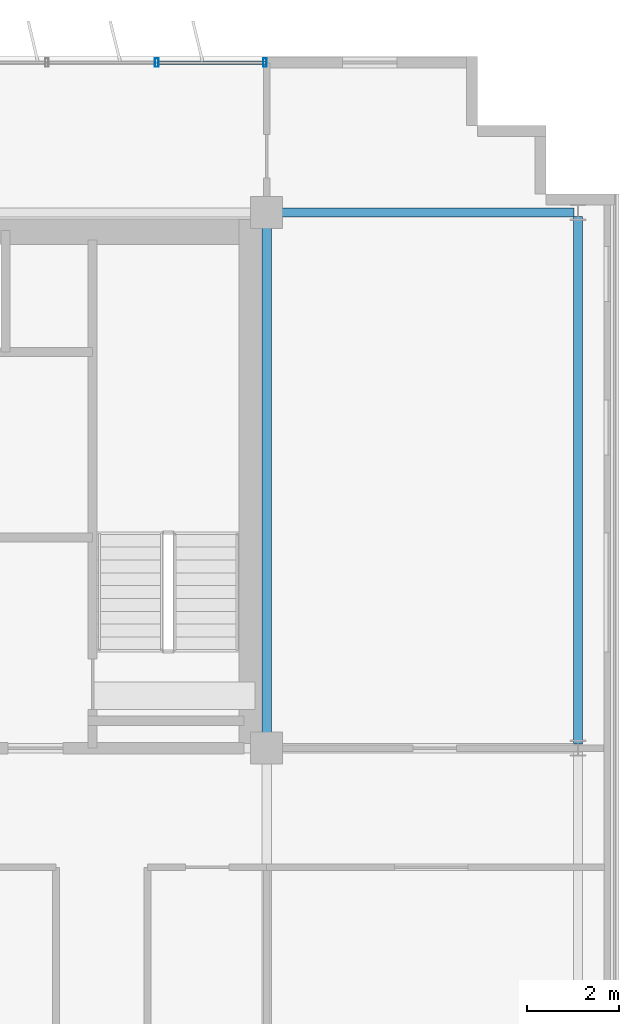
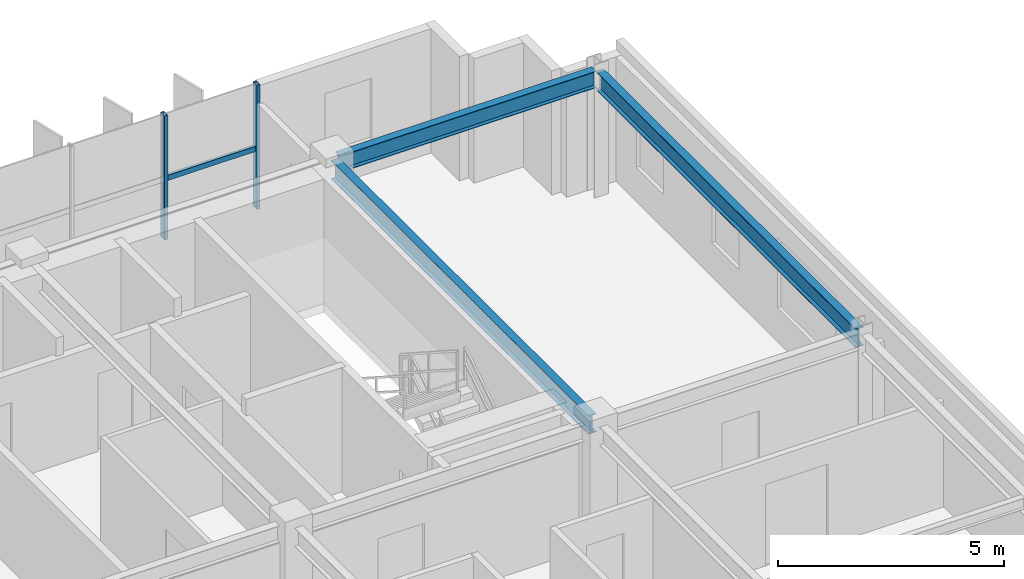
# One storey, part 12 of 19: 3 beams, 3 members, 1 element without a shape of its own.
"""IFC4 building model written with IfcOpenShell, lengths in metres."""

from ifc_helpers import new_model, si_unit, direction, frame, origin, origin_2d, place, context, subcontext, project, spatial, hollow_rectangle, i_section, extrude, source, transform, mapped, material, material_profile, profile_set, type_object, element, aggregate, save


model = new_model("IFC4")

# Units and contexts
model_context = context("Model", 3, precision=1e-05, world=origin(), true_north=direction((0.0, 1.0)))
body_context = subcontext(model_context, "Body", "Model", "MODEL_VIEW")
ifc_project = project(units=[si_unit("LENGTHUNIT", "METRE"), si_unit("AREAUNIT", "SQUARE_METRE"), si_unit("VOLUMEUNIT", "CUBIC_METRE"), si_unit("PLANEANGLEUNIT", "RADIAN"), si_unit("MASSUNIT", "GRAM", prefix="KILO")], contexts=[model_context])

# Site, building, storey
site_placement = place(None, origin())
site = spatial("IfcSite", under=ifc_project, at=site_placement, CompositionType="ELEMENT")
building_placement = place(site_placement, origin())
building = spatial("IfcBuilding", under=site, at=building_placement, Name="Trelvane Seafront Commons", CompositionType="ELEMENT")
storey_placement = place(building_placement, frame((0.0, 0.0, 215.699951171875)))
storey = spatial("IfcBuildingStorey", under=building, at=storey_placement, Name="L56", CompositionType="ELEMENT", Elevation=215.699951171875)

# Beams
ifc_material_1 = material(Name="Steel SM355 (S355)", Category="steel")
ifc_material_profile_1 = material_profile(ifc_material_1, i_section(OverallWidth=0.199951171875, OverallDepth=0.5, WebThickness=0.010009765625, FlangeThickness=0.01611328125, at=origin_2d()), Name="H-500x200x10x16")
ifc_profile_set_1 = profile_set([ifc_material_profile_1], Name="Steel SM355 (S355)")
beam_type_1 = type_object("IfcBeamType", Name="STR-BM-H500", PredefinedType="BEAM", material=ifc_profile_set_1)
shared_shape_1 = source(origin(), body_context, "Body", "SweptSolid", [
    extrude(i_section(OverallWidth=0.199951171875, OverallDepth=0.5, WebThickness=0.010009765625, FlangeThickness=0.01611328125, at=origin_2d()), origin(), (0.0, 0.0, 1.0), 11.39990234375),
])
beam_1_placement = place(storey_placement, frame((58.800048828125, 33.550048828125, 3.110107421875), z_axis=(0.0, 1.0, 0.0), x_axis=(-1.0, 0.0, 0.0)))
element("IfcBeam", 1, at=beam_1_placement, inside=storey, type_object=beam_type_1, Name="L56 Primary Girder G-49", PredefinedType="BEAM", context=body_context, shape_type="MappedRepresentation", body=[
    mapped(shared_shape_1, transform((0.0, 0.0, 0.0), x_axis=(1.0, 0.0, 0.0), y_axis=(0.0, 1.0, 0.0), z_axis=(0.0, 0.0, 1.0), scale=1.0)),
])
ifc_material_profile_2 = material_profile(ifc_material_1, i_section(OverallWidth=0.199951171875, OverallDepth=0.449951171875, WebThickness=0.009033203125, FlangeThickness=0.013916015625, at=origin_2d()), Name="H-450x200x9x14")
ifc_profile_set_2 = profile_set([ifc_material_profile_2], Name="Steel SM355 (S355)")
beam_type_2 = type_object("IfcBeamType", Name="STR-SPD-H450", PredefinedType="SPANDREL", material=ifc_profile_set_2)
shared_shape_2 = source(origin(), body_context, "Body", "SweptSolid", [
    extrude(i_section(OverallWidth=0.199951171875, OverallDepth=0.449951171875, WebThickness=0.009033203125, FlangeThickness=0.013916015625, at=origin_2d()), origin(), (0.0, 0.0, 1.0), 6.5625),
])
beam_2_placement = place(storey_placement, frame((58.949951171875, 45.10009765625, 3.135009765625), z_axis=(1.0, 0.0, 0.0), x_axis=(0.0, 1.0, 0.0)))
element("IfcBeam", 2, at=beam_2_placement, inside=storey, type_object=beam_type_2, Name="L56 Primary Girder G-28", PredefinedType="SPANDREL", context=body_context, shape_type="MappedRepresentation", body=[
    mapped(shared_shape_2, transform((0.0, 0.0, 0.0), x_axis=(1.0, 0.0, 0.0), y_axis=(0.0, 1.0, 0.0), z_axis=(0.0, 0.0, 1.0), scale=1.0)),
])
shared_shape_3 = source(origin(), body_context, "Body", "SweptSolid", [
    extrude(i_section(OverallWidth=0.199951171875, OverallDepth=0.5, WebThickness=0.010009765625, FlangeThickness=0.01611328125, at=origin_2d()), origin(), (0.0, 0.0, 1.0), 11.52490234375),
])
beam_3_placement = place(storey_placement, frame((65.60009765625, 33.487548828125, 3.110107421875), z_axis=(0.0, 1.0, 0.0), x_axis=(-1.0, 0.0, 0.0)))
element("IfcBeam", 3, at=beam_3_placement, inside=storey, type_object=beam_type_1, Name="L56 Primary Girder G-52", PredefinedType="BEAM", context=body_context, shape_type="MappedRepresentation", body=[
    mapped(shared_shape_3, transform((0.0, 0.0, 0.0), x_axis=(1.0, 0.0, 0.0), y_axis=(0.0, 1.0, 0.0), z_axis=(0.0, 0.0, 1.0), scale=1.0)),
])

# Curtain wall, members
ifc_material_2 = material(Name="Anodised pale-silver aluminium", Category="aluminium")
curtain_wall_type = type_object("IfcCurtainWallType", Name="ARCH-CW4-SKYLOBBY", PredefinedType="NOTDEFINED", material=ifc_material_2)
curtain_wall_placement = place(storey_placement, origin())
curtain_wall = element("IfcCurtainWall", 4, at=curtain_wall_placement, inside=storey, type_object=curtain_wall_type, Name="CW-L56-0099", PredefinedType="NOTDEFINED")
ifc_material_profile_3 = material_profile(ifc_material_2, hollow_rectangle(XDim=0.074951171875, YDim=0.139892578125, WallThickness=0.00390625, at=origin_2d()), Name="TRAN-75x140x4")
ifc_profile_set_3 = profile_set([ifc_material_profile_3], Name="Anodised pale-silver aluminium")
member_type_1 = type_object("IfcMemberType", Name="ARCH-CW-TRAN-140", PredefinedType="USERDEFINED", material=ifc_profile_set_3)
shared_shape_4 = source(origin(), body_context, "Body", "SweptSolid", [
    extrude(hollow_rectangle(XDim=0.074951171875, YDim=0.139892578125, WallThickness=0.00390625, at=origin_2d()), origin(), (0.0, 0.0, 1.0), 2.3759765625),
])
member_1_placement = place(storey_placement, frame((56.412109375, 48.3701171875, 1.613037109375), z_axis=(1.0, 0.0, 0.0), x_axis=(0.0, 1.0, 0.0)))
member_1 = element("IfcMember", 5, at=member_1_placement, type_object=member_type_1, Name="CW-L56-0099-T17", ObjectType="TRANSOM", PredefinedType="USERDEFINED", context=body_context, shape_type="MappedRepresentation", body=[
    mapped(shared_shape_4, transform((0.0, 0.0, 0.0), x_axis=(1.0, 0.0, 0.0), y_axis=(0.0, 1.0, 0.0), z_axis=(0.0, 0.0, 1.0), scale=1.0)),
])
ifc_material_profile_4 = material_profile(ifc_material_2, hollow_rectangle(XDim=0.080078125, YDim=0.179931640625, WallThickness=0.00439453125, at=origin_2d()), Name="MULL-80x180x4.5")
ifc_profile_set_4 = profile_set([ifc_material_profile_4], Name="Anodised pale-silver aluminium")
member_type_2 = type_object("IfcMemberType", Name="ARCH-CW-MULL-180", PredefinedType="MULLION", material=ifc_profile_set_4)
shared_shape_5 = source(origin(), body_context, "Body", "SweptSolid", [
    extrude(hollow_rectangle(XDim=0.080078125, YDim=0.179931640625, WallThickness=0.00439453125, at=origin_2d()), origin(), (0.0, 0.0, 1.0), 3.360107421875),
])
member_2_placement = place(storey_placement, frame((56.39990234375, 48.3701171875, 0.0), z_axis=(0.0, 0.0, 1.0), x_axis=(1.0, 0.0, 0.0)))
member_2 = element("IfcMember", 6, at=member_2_placement, type_object=member_type_2, Name="CW-L56-0099-M17", PredefinedType="MULLION", context=body_context, shape_type="MappedRepresentation", body=[
    mapped(shared_shape_5, transform((0.0, 0.0, 0.0), x_axis=(1.0, 0.0, 0.0), y_axis=(0.0, 1.0, 0.0), z_axis=(0.0, 0.0, 1.0), scale=1.0)),
])
member_3_placement = place(storey_placement, frame((58.760009765625, 48.3701171875, 0.0), z_axis=(0.0, 0.0, 1.0), x_axis=(1.0, 0.0, 0.0)))
member_3 = element("IfcMember", 7, at=member_3_placement, type_object=member_type_2, Name="CW-L56-0099-M18", PredefinedType="MULLION", context=body_context, shape_type="MappedRepresentation", body=[
    mapped(shared_shape_5, transform((0.0, 0.0, 0.0), x_axis=(1.0, 0.0, 0.0), y_axis=(0.0, 1.0, 0.0), z_axis=(0.0, 0.0, 1.0), scale=1.0)),
])
aggregate(curtain_wall, [member_2, member_3, member_1])

save(model, "model.ifc")
